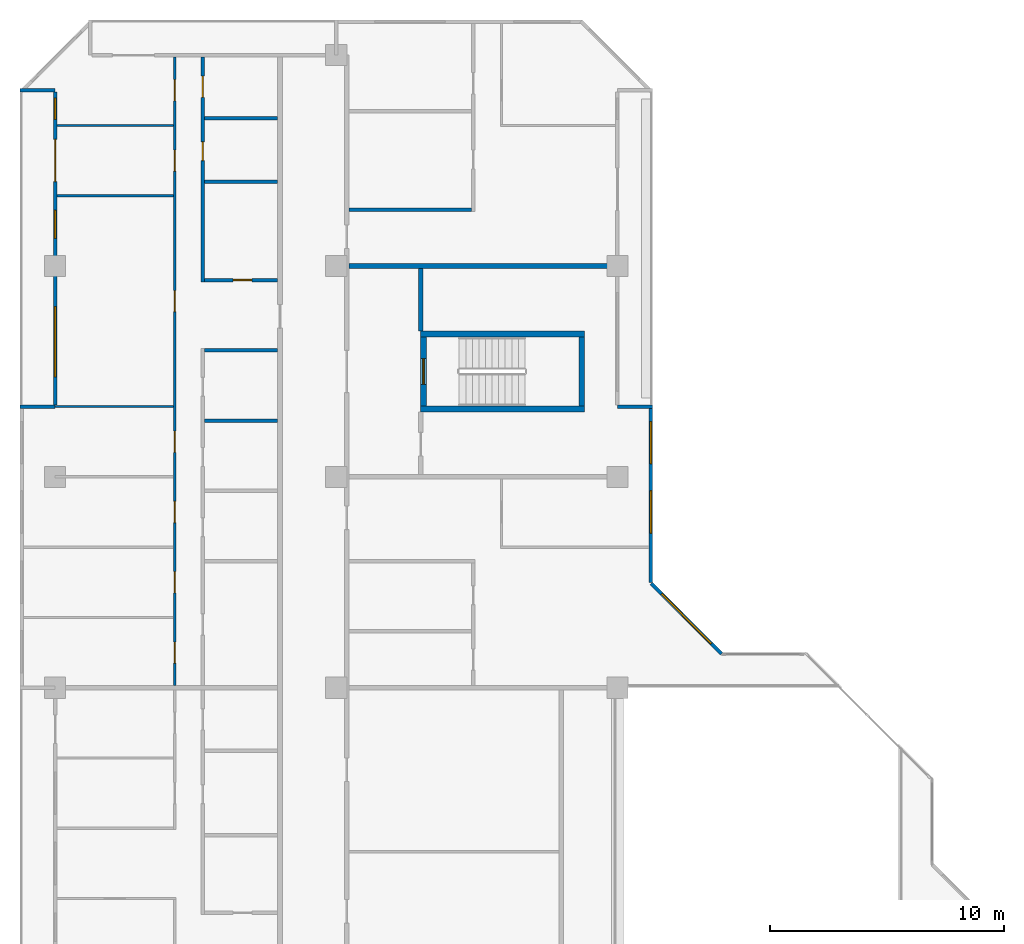
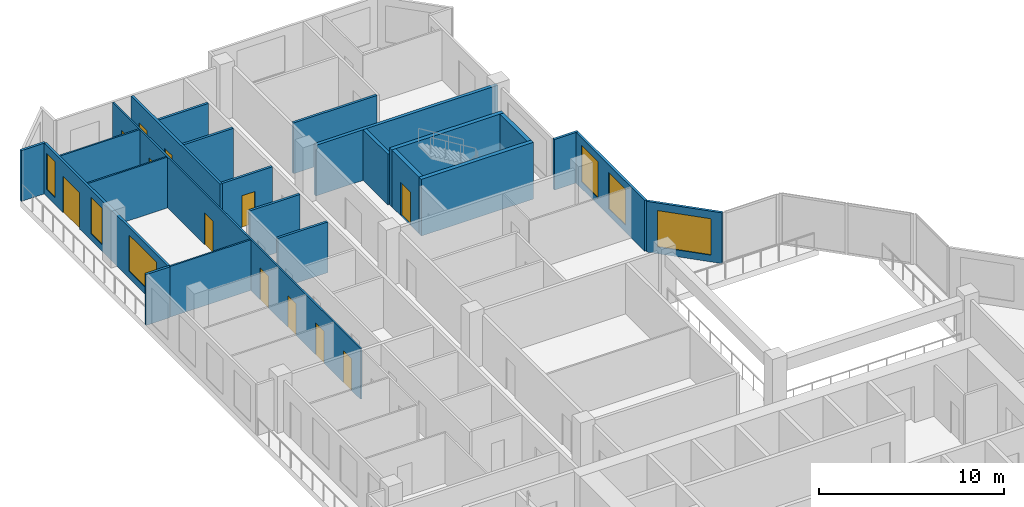
# One storey, part 10 of 15: 23 walls, 12 doors, 6 windows, 18 openings.
"""IFC4 building model written with IfcOpenShell, lengths in metres."""

from ifc_helpers import new_model, si_unit, direction, frame, frame_2d, origin, place, context, subcontext, project, spatial, rectangle, extrude, material, layer, layer_set, type_object, element, fill, save


model = new_model("IFC4")

# Units and contexts
model_context = context("Model", 3, precision=1e-05, world=origin(), true_north=direction((0.0, 1.0)))
body_context = subcontext(model_context, "Body", "Model", "MODEL_VIEW")
ifc_project = project(units=[si_unit("LENGTHUNIT", "METRE"), si_unit("AREAUNIT", "SQUARE_METRE"), si_unit("VOLUMEUNIT", "CUBIC_METRE"), si_unit("PLANEANGLEUNIT", "RADIAN"), si_unit("MASSUNIT", "GRAM", prefix="KILO")], contexts=[model_context])

# Site, building, storey
site_placement = place(None, origin())
site = spatial("IfcSite", under=ifc_project, at=site_placement, CompositionType="ELEMENT")
building_placement = place(site_placement, origin())
building = spatial("IfcBuilding", under=site, at=building_placement, Name="Chenar Terraces", CompositionType="ELEMENT")
storey_placement = place(building_placement, frame((0.0, 0.0, 176.14990234375)))
storey = spatial("IfcBuildingStorey", under=building, at=storey_placement, Name="L40", CompositionType="ELEMENT", Elevation=176.14990234375)

# Walls
ifc_material_1 = material(Name="Concrete C60/75", Category="concrete")
ifc_layer_1 = layer(ifc_material_1, 0.25)
ifc_layer_set_1 = layer_set([ifc_layer_1], Name="Concrete C60/75")
wall_type_1 = type_object("IfcWallType", Name="Core wall 250 Concrete C60/75", PredefinedType="SHEAR", material=ifc_layer_set_1)
for number, where, z_axis, x_axis, name in (
    (1, (15.60009765625, 47.89990234375, 0.0), (0.0, 0.0, 1.0), (1.0, 0.0, 0.0), "Core wall ST4_S L40"),
    (2, (15.60009765625, 51.10009765625, 0.0), (0.0, 0.0, 1.0), (1.0, 0.0, 0.0), "Core wall ST4_N L40"),
):
    element("IfcWall", number, at=place(storey_placement, frame(where, z_axis=z_axis, x_axis=x_axis)), inside=storey, type_object=wall_type_1, Name=name, PredefinedType="SHEAR", context=body_context, shape_type="SweptSolid", body=[
        extrude(rectangle(XDim=7.0, YDim=0.25, at=frame_2d((3.5, 0.0))), origin(), (0.0, 0.0, 1.0), 3.75),
    ])

# Wall, opening, door
wall_1_placement = place(storey_placement, frame((15.72509765625, 48.02490234375, 0.0), z_axis=(0.0, 0.0, 1.0), x_axis=(0.0, 1.0, 0.0)))
wall_1 = element("IfcWall", 3, at=wall_1_placement, inside=storey, type_object=wall_type_1, Name="Core wall ST4_W L40", PredefinedType="SHEAR", context=body_context, shape_type="SweptSolid", body=[
    extrude(rectangle(XDim=2.9501953125, YDim=0.25, at=frame_2d((1.47509765625, 0.0))), origin(), (0.0, 0.0, 1.0), 3.75),
])
opening_1_placement = place(wall_1_placement, frame((0.925048828125, 0.0, 0.0)))
opening_1 = element("IfcOpeningElement", 4, at=opening_1_placement, cuts=wall_1, Name="Opening DL40-C9", PredefinedType="OPENING", context=body_context, shape_type="SweptSolid", body=[
    extrude(rectangle(XDim=1.10009765625, YDim=2.199951171875, at=frame_2d((0.550048828125, 1.10009765625))), frame((0.0, 0.135009765625, 0.0), z_axis=(0.0, -1.0, 0.0), x_axis=(1.0, 0.0, 0.0)), (0.0, 0.0, 1.0), 0.27001953125),
])
ifc_material_2 = material(Name="Steel-framed fire-resisting door leaf", Category="steel")
door_type_1 = type_object("IfcDoorType", Name="Stair fire door FD60 1100 x 2200", OperationType="SINGLE_SWING_LEFT", PredefinedType="DOOR", material=ifc_material_2)
door_1_placement = place(opening_1_placement, frame((1.10009765625, 0.0, 0.0), z_axis=(0.0, 0.0, 1.0), x_axis=(-1.0, 0.0, 0.0)))
door_1 = element("IfcDoor", 5, at=door_1_placement, inside=storey, type_object=door_type_1, Name="Stair door DL40-C9", OperationType="SINGLE_SWING_RIGHT", OverallHeight=2.199951171875, OverallWidth=1.10009765625, PredefinedType="DOOR", context=body_context, shape_type="SweptSolid", body=[
    extrude(rectangle(XDim=1.10009765625, YDim=2.199951171875, at=frame_2d((0.550048828125, 1.10009765625))), frame((0.0, 0.02490234375, 0.0), z_axis=(0.0, -1.0, 0.0), x_axis=(1.0, 0.0, 0.0)), (0.0, 0.0, 1.0), 0.050048828125),
])
fill(opening_1, door_1)

# Walls
wall_2_placement = place(storey_placement, frame((22.47509765625, 48.02490234375, 0.0), z_axis=(0.0, 0.0, 1.0), x_axis=(0.0, 1.0, 0.0)))
element("IfcWall", 6, at=wall_2_placement, inside=storey, type_object=wall_type_1, Name="Core wall ST4_E L40", PredefinedType="SHEAR", context=body_context, shape_type="SweptSolid", body=[
    extrude(rectangle(XDim=2.9501953125, YDim=0.25, at=frame_2d((1.47509765625, 0.0))), origin(), (0.0, 0.0, 1.0), 3.75),
])
ifc_material_3 = material(Name="Gypsum board on steel studs with fire boards", Category="steel")
ifc_layer_2 = layer(ifc_material_3, 0.199951171875)
ifc_layer_set_2 = layer_set([ifc_layer_2], Name="Gypsum board on steel studs with fire boards")
wall_type_2 = type_object("IfcWallType", Name="Corridor wall 200", PredefinedType="PARTITIONING", material=ifc_layer_set_2)
wall_3_placement = place(storey_placement, frame((15.60009765625, 51.22509765625, 0.0), z_axis=(0.0, 0.0, 1.0), x_axis=(0.0, 1.0, 0.0)))
element("IfcWall", 7, at=wall_3_placement, inside=storey, type_object=wall_type_2, Name="Partition L40-047", PredefinedType="PARTITIONING", context=body_context, shape_type="SweptSolid", body=[
    extrude(rectangle(XDim=2.6748046875, YDim=0.199951171875, at=frame_2d((1.33740234375, 0.0))), origin(), (0.0, 0.0, 1.0), 3.35009765625),
])

# Wall, openings, windows
ifc_material_4 = material(Name="Aluminium framed glazing", Category="aluminium")
ifc_layer_3 = layer(ifc_material_4, 0.14990234375)
ifc_layer_set_3 = layer_set([ifc_layer_3], Name="Aluminium framed glazing")
wall_type_3 = type_object("IfcWallType", Name="Glazed flush facade wall 150", PredefinedType="SOLIDWALL", material=ifc_layer_set_3)
wall_4_placement = place(storey_placement, frame((25.425048828125, 40.5, 0.0), z_axis=(0.0, 0.0, 1.0), x_axis=(0.0, 1.0, 0.0)))
wall_4 = element("IfcWall", 8, at=wall_4_placement, inside=storey, type_object=wall_type_3, Name="Glazed flush facade wall", PredefinedType="SOLIDWALL", context=body_context, shape_type="SweptSolid", body=[
    extrude(rectangle(XDim=7.425048828125, YDim=0.14990234375, at=frame_2d((3.71240234375, 0.0))), origin(), (0.0, 0.0, 1.0), 3.35009765625),
])
opening_2_placement = place(wall_4_placement, frame((2.10009765625, 0.0, 0.449951171875)))
opening_2 = element("IfcOpeningElement", 9, at=opening_2_placement, cuts=wall_4, Name="Opening W180x240", PredefinedType="OPENING", context=body_context, shape_type="SweptSolid", body=[
    extrude(rectangle(XDim=1.800048828125, YDim=2.39990234375, at=frame_2d((0.89990234375, 1.199951171875))), frame((0.0, 0.0849609375, 0.0), z_axis=(0.0, -1.0, 0.0), x_axis=(1.0, 0.0, 0.0)), (0.0, 0.0, 1.0), 0.169921875),
])
opening_3_placement = place(wall_4_placement, frame((5.0625, 0.0, 0.449951171875)))
opening_3 = element("IfcOpeningElement", 10, at=opening_3_placement, cuts=wall_4, Name="Opening W180x240", PredefinedType="OPENING", context=body_context, shape_type="SweptSolid", body=[
    extrude(rectangle(XDim=1.800048828125, YDim=2.39990234375, at=frame_2d((0.89990234375, 1.199951171875))), frame((0.0, 0.0849609375, 0.0), z_axis=(0.0, -1.0, 0.0), x_axis=(1.0, 0.0, 0.0)), (0.0, 0.0, 1.0), 0.169921875),
])
ifc_material_5 = material(Name="Low emissivity double glazing, aluminium frame", Category="aluminium")
window_type_1 = type_object("IfcWindowType", Name="Fixed light 1800 x 2400", PartitioningType="SINGLE_PANEL", PredefinedType="WINDOW", material=ifc_material_5)
window_1_placement = place(opening_2_placement, origin())
window_1 = element("IfcWindow", 11, at=window_1_placement, inside=storey, type_object=window_type_1, Name="Window", OverallHeight=2.39990234375, OverallWidth=1.800048828125, PartitioningType="SINGLE_PANEL", PredefinedType="WINDOW", context=body_context, shape_type="SweptSolid", body=[
    extrude(rectangle(XDim=1.800048828125, YDim=2.39990234375, at=frame_2d((0.89990234375, 1.199951171875))), frame((0.0, 0.030029296875, 0.0), z_axis=(0.0, -1.0, 0.0), x_axis=(1.0, 0.0, 0.0)), (0.0, 0.0, 1.0), 0.06005859375),
])
fill(opening_2, window_1)
window_2_placement = place(opening_3_placement, origin())
window_2 = element("IfcWindow", 12, at=window_2_placement, inside=storey, type_object=window_type_1, Name="Window", OverallHeight=2.39990234375, OverallWidth=1.800048828125, PartitioningType="SINGLE_PANEL", PredefinedType="WINDOW", context=body_context, shape_type="SweptSolid", body=[
    extrude(rectangle(XDim=1.800048828125, YDim=2.39990234375, at=frame_2d((0.89990234375, 1.199951171875))), frame((0.0, 0.030029296875, 0.0), z_axis=(0.0, -1.0, 0.0), x_axis=(1.0, 0.0, 0.0)), (0.0, 0.0, 1.0), 0.06005859375),
])
fill(opening_3, window_2)

# Wall, openings, windows, door
ifc_material_6 = material(Name="Aluminium framed glazing", Category="aluminium")
ifc_layer_4 = layer(ifc_material_6, 0.14990234375)
ifc_layer_set_4 = layer_set([ifc_layer_4], Name="Aluminium framed glazing")
wall_type_4 = type_object("IfcWallType", Name="Glazed loggia back wall 150", PredefinedType="SOLIDWALL", material=ifc_layer_set_4)
wall_5_placement = place(storey_placement, frame((0.0, 61.425048828125, 0.0), z_axis=(0.0, 0.0, 1.0), x_axis=(0.0, -1.0, 0.0)))
wall_5 = element("IfcWall", 13, at=wall_5_placement, inside=storey, type_object=wall_type_4, Name="Glazed loggia back wall", PredefinedType="SOLIDWALL", context=body_context, shape_type="SweptSolid", body=[
    extrude(rectangle(XDim=13.35009765625, YDim=0.14990234375, at=frame_2d((6.675048828125, 0.0))), origin(), (0.0, 0.0, 1.0), 3.35009765625),
])
opening_4_placement = place(wall_5_placement, frame((0.262451171875, 0.0, 0.449951171875)))
opening_4 = element("IfcOpeningElement", 14, at=opening_4_placement, cuts=wall_5, Name="Opening W90x240", PredefinedType="OPENING", context=body_context, shape_type="SweptSolid", body=[
    extrude(rectangle(XDim=0.89990234375, YDim=2.39990234375, at=frame_2d((0.449951171875, 1.199951171875))), frame((0.0, 0.0849609375, 0.0), z_axis=(0.0, -1.0, 0.0), x_axis=(1.0, 0.0, 0.0)), (0.0, 0.0, 1.0), 0.169921875),
])
opening_5_placement = place(wall_5_placement, frame((2.02490234375, 0.0, 0.0)))
opening_5 = element("IfcOpeningElement", 15, at=opening_5_placement, cuts=wall_5, Name="Opening DL40-G4", PredefinedType="OPENING", context=body_context, shape_type="SweptSolid", body=[
    extrude(rectangle(XDim=1.800048828125, YDim=2.39990234375, at=frame_2d((0.89990234375, 1.199951171875))), frame((0.0, 0.0849609375, 0.0), z_axis=(0.0, -1.0, 0.0), x_axis=(1.0, 0.0, 0.0)), (0.0, 0.0, 1.0), 0.169921875),
])
opening_6_placement = place(wall_5_placement, frame((5.050048828125, 0.0, 0.449951171875)))
opening_6 = element("IfcOpeningElement", 16, at=opening_6_placement, cuts=wall_5, Name="Opening W120x240", PredefinedType="OPENING", context=body_context, shape_type="SweptSolid", body=[
    extrude(rectangle(XDim=1.199951171875, YDim=2.39990234375, at=frame_2d((0.60009765625, 1.199951171875))), frame((0.0, 0.0849609375, 0.0), z_axis=(0.0, -1.0, 0.0), x_axis=(1.0, 0.0, 0.0)), (0.0, 0.0, 1.0), 0.169921875),
])
opening_7_placement = place(wall_5_placement, frame((9.16259765625, 0.0, 0.449951171875)))
opening_7 = element("IfcOpeningElement", 17, at=opening_7_placement, cuts=wall_5, Name="Opening W300x240", PredefinedType="OPENING", context=body_context, shape_type="SweptSolid", body=[
    extrude(rectangle(XDim=3.0, YDim=2.39990234375, at=frame_2d((1.5, 1.199951171875))), frame((0.0, 0.0849609375, 0.0), z_axis=(0.0, -1.0, 0.0), x_axis=(1.0, 0.0, 0.0)), (0.0, 0.0, 1.0), 0.169921875),
])
ifc_material_7 = material(Name="Low emissivity double glazing, aluminium frame", Category="aluminium")
window_type_2 = type_object("IfcWindowType", Name="Fixed light 1200 x 2400", PartitioningType="SINGLE_PANEL", PredefinedType="WINDOW", material=ifc_material_7)
window_3_placement = place(opening_6_placement, origin())
window_3 = element("IfcWindow", 18, at=window_3_placement, inside=storey, type_object=window_type_2, Name="Window", OverallHeight=2.39990234375, OverallWidth=1.199951171875, PartitioningType="SINGLE_PANEL", PredefinedType="WINDOW", context=body_context, shape_type="SweptSolid", body=[
    extrude(rectangle(XDim=1.199951171875, YDim=2.39990234375, at=frame_2d((0.60009765625, 1.199951171875))), frame((0.0, 0.030029296875, 0.0), z_axis=(0.0, -1.0, 0.0), x_axis=(1.0, 0.0, 0.0)), (0.0, 0.0, 1.0), 0.06005859375),
])
fill(opening_6, window_3)
ifc_material_8 = material(Name="Low emissivity double glazing, aluminium frame", Category="aluminium")
window_type_3 = type_object("IfcWindowType", Name="Fixed light 3000 x 2400", PartitioningType="SINGLE_PANEL", PredefinedType="WINDOW", material=ifc_material_8)
window_4_placement = place(opening_7_placement, origin())
window_4 = element("IfcWindow", 19, at=window_4_placement, inside=storey, type_object=window_type_3, Name="Window", OverallHeight=2.39990234375, OverallWidth=3.0, PartitioningType="SINGLE_PANEL", PredefinedType="WINDOW", context=body_context, shape_type="SweptSolid", body=[
    extrude(rectangle(XDim=3.0, YDim=2.39990234375, at=frame_2d((1.5, 1.199951171875))), frame((0.0, 0.030029296875, 0.0), z_axis=(0.0, -1.0, 0.0), x_axis=(1.0, 0.0, 0.0)), (0.0, 0.0, 1.0), 0.06005859375),
])
fill(opening_7, window_4)
ifc_material_9 = material(Name="Low emissivity double glazing, aluminium frame", Category="aluminium")
window_type_4 = type_object("IfcWindowType", Name="Fixed light 900 x 2400", PartitioningType="SINGLE_PANEL", PredefinedType="WINDOW", material=ifc_material_9)
window_5_placement = place(opening_4_placement, origin())
window_5 = element("IfcWindow", 20, at=window_5_placement, inside=storey, type_object=window_type_4, Name="Window", OverallHeight=2.39990234375, OverallWidth=0.89990234375, PartitioningType="SINGLE_PANEL", PredefinedType="WINDOW", context=body_context, shape_type="SweptSolid", body=[
    extrude(rectangle(XDim=0.89990234375, YDim=2.39990234375, at=frame_2d((0.449951171875, 1.199951171875))), frame((0.0, 0.030029296875, 0.0), z_axis=(0.0, -1.0, 0.0), x_axis=(1.0, 0.0, 0.0)), (0.0, 0.0, 1.0), 0.06005859375),
])
fill(opening_4, window_5)
ifc_material_10 = material(Name="Low emissivity double glazing, aluminium frame", Category="aluminium")
door_type_2 = type_object("IfcDoorType", Name="Loggia glazed double door 1800 x 2400", OperationType="DOUBLE_DOOR_SINGLE_SWING", PredefinedType="DOOR", material=ifc_material_10)
door_2_placement = place(opening_5_placement, frame((1.800048828125, 0.0, 0.0), z_axis=(0.0, 0.0, 1.0), x_axis=(-1.0, 0.0, 0.0)))
door_2 = element("IfcDoor", 21, at=door_2_placement, inside=storey, type_object=door_type_2, Name="Loggia glazed door", OperationType="DOUBLE_DOOR_SINGLE_SWING", OverallHeight=2.39990234375, OverallWidth=1.800048828125, PredefinedType="DOOR", context=body_context, shape_type="SweptSolid", body=[
    extrude(rectangle(XDim=1.800048828125, YDim=2.39990234375, at=frame_2d((0.89990234375, 1.199951171875))), frame((0.0, 0.02490234375, 0.0), z_axis=(0.0, -1.0, 0.0), x_axis=(1.0, 0.0, 0.0)), (0.0, 0.0, 1.0), 0.050048828125),
])
fill(opening_5, door_2)

# Walls
ifc_material_11 = material(Name="Gypsum board on steel studs", Category="steel")
ifc_layer_5 = layer(ifc_material_11, 0.10009765625)
ifc_layer_set_5 = layer_set([ifc_layer_5], Name="Gypsum board on steel studs")
wall_type_5 = type_object("IfcWallType", Name="Gypsum partition 100", PredefinedType="PARTITIONING", material=ifc_layer_set_5)
wall_6_placement = place(storey_placement, frame((0.0, 48.0, 0.0), z_axis=(0.0, 0.0, 1.0), x_axis=(1.0, 0.0, 0.0)))
element("IfcWall", 22, at=wall_6_placement, inside=storey, type_object=wall_type_5, Name="Partition L40-007", PredefinedType="PARTITIONING", context=body_context, shape_type="SweptSolid", body=[
    extrude(rectangle(XDim=5.050048828125, YDim=0.10009765625, at=frame_2d((2.52490234375, 0.0))), origin(), (0.0, 0.0, 1.0), 3.35009765625),
])
for number, where, z_axis, x_axis, name in (
    (23, (0.073974609375, 57.0, 0.0), (0.0, 0.0, 1.0), (1.0, 0.0, 0.0), "Partition L40-011"),
    (24, (0.073974609375, 60.0, 0.0), (0.0, 0.0, 1.0), (1.0, 0.0, 0.0), "Partition L40-012"),
):
    element("IfcWall", number, at=place(storey_placement, frame(where, z_axis=z_axis, x_axis=x_axis)), inside=storey, type_object=wall_type_5, Name=name, PredefinedType="PARTITIONING", context=body_context, shape_type="SweptSolid", body=[
        extrude(rectangle(XDim=4.97607421875, YDim=0.10009765625, at=frame_2d((2.488037109375, 0.0))), origin(), (0.0, 0.0, 1.0), 3.35009765625),
    ])

# Wall, openings, doors
wall_7_placement = place(storey_placement, frame((5.10009765625, 36.10009765625, 0.0), z_axis=(0.0, 0.0, 1.0), x_axis=(0.0, 1.0, 0.0)))
wall_7 = element("IfcWall", 25, at=wall_7_placement, inside=storey, type_object=wall_type_5, Name="Partition L40-016", PredefinedType="PARTITIONING", context=body_context, shape_type="SweptSolid", body=[
    extrude(rectangle(XDim=26.825927734375, YDim=0.10009765625, at=frame_2d((13.4130859375, 0.0))), origin(), (0.0, 0.0, 1.0), 3.35009765625),
])
opening_8_placement = place(wall_7_placement, frame((0.949951171875, 0.0, 0.0)))
opening_8 = element("IfcOpeningElement", 26, at=opening_8_placement, cuts=wall_7, Name="Opening DL40-24", PredefinedType="OPENING", context=body_context, shape_type="SweptSolid", body=[
    extrude(rectangle(XDim=0.89990234375, YDim=2.10009765625, at=frame_2d((0.449951171875, 1.050048828125))), frame((0.0, 0.06005859375, 0.0), z_axis=(0.0, -1.0, 0.0), x_axis=(1.0, 0.0, 0.0)), (0.0, 0.0, 1.0), 0.1201171875),
])
opening_9_placement = place(wall_7_placement, frame((3.949951171875, 0.0, 0.0)))
opening_9 = element("IfcOpeningElement", 27, at=opening_9_placement, cuts=wall_7, Name="Opening DL40-25", PredefinedType="OPENING", context=body_context, shape_type="SweptSolid", body=[
    extrude(rectangle(XDim=0.89990234375, YDim=2.10009765625, at=frame_2d((0.449951171875, 1.050048828125))), frame((0.0, 0.06005859375, 0.0), z_axis=(0.0, -1.0, 0.0), x_axis=(1.0, 0.0, 0.0)), (0.0, 0.0, 1.0), 0.1201171875),
])
opening_10_placement = place(wall_7_placement, frame((9.949951171875, 0.0, 0.0)))
opening_10 = element("IfcOpeningElement", 28, at=opening_10_placement, cuts=wall_7, Name="Opening DL40-26", PredefinedType="OPENING", context=body_context, shape_type="SweptSolid", body=[
    extrude(rectangle(XDim=0.89990234375, YDim=2.10009765625, at=frame_2d((0.449951171875, 1.050048828125))), frame((0.0, 0.06005859375, 0.0), z_axis=(0.0, -1.0, 0.0), x_axis=(1.0, 0.0, 0.0)), (0.0, 0.0, 1.0), 0.1201171875),
])
opening_11_placement = place(wall_7_placement, frame((21.949951171875, 0.0, 0.0)))
opening_11 = element("IfcOpeningElement", 29, at=opening_11_placement, cuts=wall_7, Name="Opening DL40-27", PredefinedType="OPENING", context=body_context, shape_type="SweptSolid", body=[
    extrude(rectangle(XDim=0.89990234375, YDim=2.10009765625, at=frame_2d((0.449951171875, 1.050048828125))), frame((0.0, 0.06005859375, 0.0), z_axis=(0.0, -1.0, 0.0), x_axis=(1.0, 0.0, 0.0)), (0.0, 0.0, 1.0), 0.1201171875),
])
opening_12_placement = place(wall_7_placement, frame((24.949951171875, 0.0, 0.0)))
opening_12 = element("IfcOpeningElement", 30, at=opening_12_placement, cuts=wall_7, Name="Opening DL40-28", PredefinedType="OPENING", context=body_context, shape_type="SweptSolid", body=[
    extrude(rectangle(XDim=0.89990234375, YDim=2.10009765625, at=frame_2d((0.449951171875, 1.050048828125))), frame((0.0, 0.06005859375, 0.0), z_axis=(0.0, -1.0, 0.0), x_axis=(1.0, 0.0, 0.0)), (0.0, 0.0, 1.0), 0.1201171875),
])
opening_13_placement = place(wall_7_placement, frame((15.949951171875, 0.0, 0.0)))
opening_13 = element("IfcOpeningElement", 31, at=opening_13_placement, cuts=wall_7, Name="Opening DL40-32", PredefinedType="OPENING", context=body_context, shape_type="SweptSolid", body=[
    extrude(rectangle(XDim=0.89990234375, YDim=2.10009765625, at=frame_2d((0.449951171875, 1.050048828125))), frame((0.0, 0.06005859375, 0.0), z_axis=(0.0, -1.0, 0.0), x_axis=(1.0, 0.0, 0.0)), (0.0, 0.0, 1.0), 0.1201171875),
])
opening_14_placement = place(wall_7_placement, frame((6.949951171875, 0.0, 0.0)))
opening_14 = element("IfcOpeningElement", 32, at=opening_14_placement, cuts=wall_7, Name="Opening DL40-34", PredefinedType="OPENING", context=body_context, shape_type="SweptSolid", body=[
    extrude(rectangle(XDim=0.89990234375, YDim=2.10009765625, at=frame_2d((0.449951171875, 1.050048828125))), frame((0.0, 0.06005859375, 0.0), z_axis=(0.0, -1.0, 0.0), x_axis=(1.0, 0.0, 0.0)), (0.0, 0.0, 1.0), 0.1201171875),
])
ifc_material_12 = material(Name="Veneered timber door leaf", Category="wood")
door_type_3 = type_object("IfcDoorType", Name="Door 900 x 2100", OperationType="SINGLE_SWING_LEFT", PredefinedType="DOOR", material=ifc_material_12)
door_3_placement = place(opening_8_placement, origin())
door_3 = element("IfcDoor", 33, at=door_3_placement, inside=storey, type_object=door_type_3, Name="Door DL40-24", OperationType="SINGLE_SWING_RIGHT", OverallHeight=2.10009765625, OverallWidth=0.89990234375, PredefinedType="DOOR", context=body_context, shape_type="SweptSolid", body=[
    extrude(rectangle(XDim=0.89990234375, YDim=2.10009765625, at=frame_2d((0.449951171875, 1.050048828125))), frame((0.0, 0.02490234375, 0.0), z_axis=(0.0, -1.0, 0.0), x_axis=(1.0, 0.0, 0.0)), (0.0, 0.0, 1.0), 0.050048828125),
])
fill(opening_8, door_3)
door_4_placement = place(opening_9_placement, origin())
door_4 = element("IfcDoor", 34, at=door_4_placement, inside=storey, type_object=door_type_3, Name="Door DL40-25", OperationType="SINGLE_SWING_RIGHT", OverallHeight=2.10009765625, OverallWidth=0.89990234375, PredefinedType="DOOR", context=body_context, shape_type="SweptSolid", body=[
    extrude(rectangle(XDim=0.89990234375, YDim=2.10009765625, at=frame_2d((0.449951171875, 1.050048828125))), frame((0.0, 0.02490234375, 0.0), z_axis=(0.0, -1.0, 0.0), x_axis=(1.0, 0.0, 0.0)), (0.0, 0.0, 1.0), 0.050048828125),
])
fill(opening_9, door_4)
door_5_placement = place(opening_10_placement, origin())
door_5 = element("IfcDoor", 35, at=door_5_placement, inside=storey, type_object=door_type_3, Name="Door DL40-26", OperationType="SINGLE_SWING_RIGHT", OverallHeight=2.10009765625, OverallWidth=0.89990234375, PredefinedType="DOOR", context=body_context, shape_type="SweptSolid", body=[
    extrude(rectangle(XDim=0.89990234375, YDim=2.10009765625, at=frame_2d((0.449951171875, 1.050048828125))), frame((0.0, 0.02490234375, 0.0), z_axis=(0.0, -1.0, 0.0), x_axis=(1.0, 0.0, 0.0)), (0.0, 0.0, 1.0), 0.050048828125),
])
fill(opening_10, door_5)
door_6_placement = place(opening_11_placement, origin())
door_6 = element("IfcDoor", 36, at=door_6_placement, inside=storey, type_object=door_type_3, Name="Door DL40-27", OperationType="SINGLE_SWING_RIGHT", OverallHeight=2.10009765625, OverallWidth=0.89990234375, PredefinedType="DOOR", context=body_context, shape_type="SweptSolid", body=[
    extrude(rectangle(XDim=0.89990234375, YDim=2.10009765625, at=frame_2d((0.449951171875, 1.050048828125))), frame((0.0, 0.02490234375, 0.0), z_axis=(0.0, -1.0, 0.0), x_axis=(1.0, 0.0, 0.0)), (0.0, 0.0, 1.0), 0.050048828125),
])
fill(opening_11, door_6)
door_7_placement = place(opening_12_placement, origin())
door_7 = element("IfcDoor", 37, at=door_7_placement, inside=storey, type_object=door_type_3, Name="Door DL40-28", OperationType="SINGLE_SWING_RIGHT", OverallHeight=2.10009765625, OverallWidth=0.89990234375, PredefinedType="DOOR", context=body_context, shape_type="SweptSolid", body=[
    extrude(rectangle(XDim=0.89990234375, YDim=2.10009765625, at=frame_2d((0.449951171875, 1.050048828125))), frame((0.0, 0.02490234375, 0.0), z_axis=(0.0, -1.0, 0.0), x_axis=(1.0, 0.0, 0.0)), (0.0, 0.0, 1.0), 0.050048828125),
])
fill(opening_12, door_7)
door_8_placement = place(opening_13_placement, frame((0.89990234375, 0.0, 0.0), z_axis=(0.0, 0.0, 1.0), x_axis=(-1.0, 0.0, 0.0)))
door_8 = element("IfcDoor", 38, at=door_8_placement, inside=storey, type_object=door_type_3, Name="Door DL40-32", OperationType="SINGLE_SWING_LEFT", OverallHeight=2.10009765625, OverallWidth=0.89990234375, PredefinedType="DOOR", context=body_context, shape_type="SweptSolid", body=[
    extrude(rectangle(XDim=0.89990234375, YDim=2.10009765625, at=frame_2d((0.449951171875, 1.050048828125))), frame((0.0, 0.02490234375, 0.0), z_axis=(0.0, -1.0, 0.0), x_axis=(1.0, 0.0, 0.0)), (0.0, 0.0, 1.0), 0.050048828125),
])
fill(opening_13, door_8)
door_9_placement = place(opening_14_placement, origin())
door_9 = element("IfcDoor", 39, at=door_9_placement, inside=storey, type_object=door_type_3, Name="Door DL40-34", OperationType="SINGLE_SWING_RIGHT", OverallHeight=2.10009765625, OverallWidth=0.89990234375, PredefinedType="DOOR", context=body_context, shape_type="SweptSolid", body=[
    extrude(rectangle(XDim=0.89990234375, YDim=2.10009765625, at=frame_2d((0.449951171875, 1.050048828125))), frame((0.0, 0.02490234375, 0.0), z_axis=(0.0, -1.0, 0.0), x_axis=(1.0, 0.0, 0.0)), (0.0, 0.0, 1.0), 0.050048828125),
])
fill(opening_14, door_9)

# Walls
ifc_material_13 = material(Name="Terracotta cladding on insulated backing", Category="masonry")
ifc_layer_6 = layer(ifc_material_13, 0.14990234375)
ifc_layer_set_6 = layer_set([ifc_layer_6], Name="Terracotta cladding on insulated backing")
wall_type_6 = type_object("IfcWallType", Name="Loggia return wall 150", PredefinedType="SOLIDWALL", material=ifc_layer_set_6)
for number, where, z_axis, x_axis, name in (
    (40, (25.5, 48.0, 0.0), (0.0, 0.0, 1.0), (-1.0, 0.0, 0.0), "Loggia return wall"),
    (41, (-1.5, 61.5, 0.0), (0.0, 0.0, 1.0), (1.0, 0.0, 0.0), "Loggia return wall"),
    (42, (-1.5, 48.0, 0.0), (0.0, 0.0, 1.0), (1.0, 0.0, 0.0), "Loggia return wall"),
):
    element("IfcWall", number, at=place(storey_placement, frame(where, z_axis=z_axis, x_axis=x_axis)), inside=storey, type_object=wall_type_6, Name=name, PredefinedType="SOLIDWALL", context=body_context, shape_type="SweptSolid", body=[
        extrude(rectangle(XDim=1.5, YDim=0.14990234375, at=frame_2d((0.75, 0.0))), origin(), (0.0, 0.0, 1.0), 3.35009765625),
    ])

# Wall, opening, window
ifc_material_14 = material(Name="Terracotta cladding on insulated backing", Category="masonry")
ifc_layer_7 = layer(ifc_material_14, 0.14990234375)
ifc_layer_set_7 = layer_set([ifc_layer_7], Name="Terracotta cladding on insulated backing")
wall_type_7 = type_object("IfcWallType", Name="Terracotta rainscreen wall 150", PredefinedType="SOLIDWALL", material=ifc_layer_set_7)
wall_8_placement = place(storey_placement, frame((28.447021484375, 37.447021484375, 0.0), z_axis=(0.0, 0.0, 1.0), x_axis=(-0.707106781187, 0.707106781187, 0.0)))
wall_8 = element("IfcWall", 43, at=wall_8_placement, inside=storey, type_object=wall_type_7, Name="Terracotta rainscreen wall", PredefinedType="SOLIDWALL", context=body_context, shape_type="SweptSolid", body=[
    extrude(rectangle(XDim=4.24267578125, YDim=0.14990234375, at=frame_2d((2.121337890625, 0.0))), origin(), (0.0, 0.0, 1.0), 3.35009765625),
])
opening_15_placement = place(wall_8_placement, frame((0.621337890625, 0.0, 0.449951171875)))
opening_15 = element("IfcOpeningElement", 44, at=opening_15_placement, cuts=wall_8, Name="Opening W300x240", PredefinedType="OPENING", context=body_context, shape_type="SweptSolid", body=[
    extrude(rectangle(XDim=3.0, YDim=2.39990234375, at=frame_2d((1.5, 1.199951171875))), frame((0.0, 0.0849609375, 0.0), z_axis=(0.0, -1.0, 0.0), x_axis=(1.0, 0.0, 0.0)), (0.0, 0.0, 1.0), 0.169921875),
])
window_6_placement = place(opening_15_placement, origin())
window_6 = element("IfcWindow", 45, at=window_6_placement, inside=storey, type_object=window_type_3, Name="Window", OverallHeight=2.39990234375, OverallWidth=3.0, PartitioningType="SINGLE_PANEL", PredefinedType="WINDOW", context=body_context, shape_type="SweptSolid", body=[
    extrude(rectangle(XDim=3.0, YDim=2.39990234375, at=frame_2d((1.5, 1.199951171875))), frame((0.0, 0.030029296875, 0.0), z_axis=(0.0, -1.0, 0.0), x_axis=(1.0, 0.0, 0.0)), (0.0, 0.0, 1.0), 0.06005859375),
])
fill(opening_15, window_6)

# Wall
ifc_material_15 = material(Name="Twin gypsum board on steel studs with mineral wool", Category="steel")
ifc_layer_8 = layer(ifc_material_15, 0.199951171875)
ifc_layer_set_8 = layer_set([ifc_layer_8], Name="Twin gypsum board on steel studs with mineral wool")
wall_type_8 = type_object("IfcWallType", Name="Unit demising wall 200", PredefinedType="PARTITIONING", material=ifc_layer_set_8)
wall_9_placement = place(storey_placement, frame((12.550048828125, 54.0, 0.0), z_axis=(0.0, 0.0, 1.0), x_axis=(1.0, 0.0, 0.0)))
element("IfcWall", 46, at=wall_9_placement, inside=storey, type_object=wall_type_8, Name="Partition L40-042", PredefinedType="PARTITIONING", context=body_context, shape_type="SweptSolid", body=[
    extrude(rectangle(XDim=11.3759765625, YDim=0.199951171875, at=frame_2d((5.68798828125, 0.0))), origin(), (0.0, 0.0, 1.0), 3.35009765625),
])

# Wall, openings, doors
ifc_material_16 = material(Name="Moisture-resistant gypsum board on steel studs", Category="steel")
ifc_layer_9 = layer(ifc_material_16, 0.14990234375)
ifc_layer_set_9 = layer_set([ifc_layer_9], Name="Moisture-resistant gypsum board on steel studs")
wall_type_9 = type_object("IfcWallType", Name="Wet-room partition 150", PredefinedType="PARTITIONING", material=ifc_layer_set_9)
wall_10_placement = place(storey_placement, frame((6.300048828125, 53.324951171875, 0.0), z_axis=(0.0, 0.0, 1.0), x_axis=(0.0, 1.0, 0.0)))
wall_10 = element("IfcWall", 47, at=wall_10_placement, inside=storey, type_object=wall_type_9, Name="Partition L40-019", PredefinedType="PARTITIONING", context=body_context, shape_type="SweptSolid", body=[
    extrude(rectangle(XDim=9.60107421875, YDim=0.14990234375, at=frame_2d((4.800537109375, 0.0))), origin(), (0.0, 0.0, 1.0), 3.35009765625),
])
opening_16_placement = place(wall_10_placement, frame((7.875, 0.0, 0.0)))
opening_16 = element("IfcOpeningElement", 48, at=opening_16_placement, cuts=wall_10, Name="Opening DL40-33", PredefinedType="OPENING", context=body_context, shape_type="SweptSolid", body=[
    extrude(rectangle(XDim=0.89990234375, YDim=2.10009765625, at=frame_2d((0.449951171875, 1.050048828125))), frame((0.0, 0.0849609375, 0.0), z_axis=(0.0, -1.0, 0.0), x_axis=(1.0, 0.0, 0.0)), (0.0, 0.0, 1.0), 0.169921875),
])
opening_17_placement = place(wall_10_placement, frame((5.175048828125, 0.0, 0.0)))
opening_17 = element("IfcOpeningElement", 49, at=opening_17_placement, cuts=wall_10, Name="Opening DL40-37", PredefinedType="OPENING", context=body_context, shape_type="SweptSolid", body=[
    extrude(rectangle(XDim=0.800048828125, YDim=2.10009765625, at=frame_2d((0.39990234375, 1.050048828125))), frame((0.0, 0.0849609375, 0.0), z_axis=(0.0, -1.0, 0.0), x_axis=(1.0, 0.0, 0.0)), (0.0, 0.0, 1.0), 0.169921875),
])
ifc_material_17 = material(Name="Veneered timber door leaf", Category="wood")
door_type_4 = type_object("IfcDoorType", Name="Door 800 x 2100", OperationType="SINGLE_SWING_LEFT", PredefinedType="DOOR", material=ifc_material_17)
door_10_placement = place(opening_17_placement, frame((0.800048828125, 0.0, 0.0), z_axis=(0.0, 0.0, 1.0), x_axis=(-1.0, 0.0, 0.0)))
door_10 = element("IfcDoor", 50, at=door_10_placement, inside=storey, type_object=door_type_4, Name="Door DL40-37", OperationType="SINGLE_SWING_RIGHT", OverallHeight=2.10009765625, OverallWidth=0.800048828125, PredefinedType="DOOR", context=body_context, shape_type="SweptSolid", body=[
    extrude(rectangle(XDim=0.800048828125, YDim=2.10009765625, at=frame_2d((0.39990234375, 1.050048828125))), frame((0.0, 0.02490234375, 0.0), z_axis=(0.0, -1.0, 0.0), x_axis=(1.0, 0.0, 0.0)), (0.0, 0.0, 1.0), 0.050048828125),
])
fill(opening_17, door_10)
door_11_placement = place(opening_16_placement, frame((0.89990234375, 0.0, 0.0), z_axis=(0.0, 0.0, 1.0), x_axis=(-1.0, 0.0, 0.0)))
door_11 = element("IfcDoor", 51, at=door_11_placement, inside=storey, type_object=door_type_3, Name="Door DL40-33", OperationType="SINGLE_SWING_RIGHT", OverallHeight=2.10009765625, OverallWidth=0.89990234375, PredefinedType="DOOR", context=body_context, shape_type="SweptSolid", body=[
    extrude(rectangle(XDim=0.89990234375, YDim=2.10009765625, at=frame_2d((0.449951171875, 1.050048828125))), frame((0.0, 0.02490234375, 0.0), z_axis=(0.0, -1.0, 0.0), x_axis=(1.0, 0.0, 0.0)), (0.0, 0.0, 1.0), 0.050048828125),
])
fill(opening_16, door_11)

# Walls
for number, where, z_axis, x_axis, name in (
    (52, (6.375, 47.39990234375, 0.0), (0.0, 0.0, 1.0), (1.0, 0.0, 0.0), "Partition L40-025"),
    (53, (6.375, 50.39990234375, 0.0), (0.0, 0.0, 1.0), (1.0, 0.0, 0.0), "Partition L40-026"),
):
    element("IfcWall", number, at=place(storey_placement, frame(where, z_axis=z_axis, x_axis=x_axis)), inside=storey, type_object=wall_type_9, Name=name, PredefinedType="PARTITIONING", context=body_context, shape_type="SweptSolid", body=[
        extrude(rectangle(XDim=3.125, YDim=0.14990234375, at=frame_2d((1.5625, 0.0))), origin(), (0.0, 0.0, 1.0), 3.35009765625),
    ])

# Wall, opening, door
wall_11_placement = place(storey_placement, frame((6.375, 53.39990234375, 0.0), z_axis=(0.0, 0.0, 1.0), x_axis=(1.0, 0.0, 0.0)))
wall_11 = element("IfcWall", 54, at=wall_11_placement, inside=storey, type_object=wall_type_9, Name="Partition L40-027", PredefinedType="PARTITIONING", context=body_context, shape_type="SweptSolid", body=[
    extrude(rectangle(XDim=3.125, YDim=0.14990234375, at=frame_2d((1.5625, 0.0))), origin(), (0.0, 0.0, 1.0), 3.35009765625),
])
opening_18_placement = place(wall_11_placement, frame((1.22509765625, 0.0, 0.0)))
opening_18 = element("IfcOpeningElement", 55, at=opening_18_placement, cuts=wall_11, Name="Opening DL40-23", PredefinedType="OPENING", context=body_context, shape_type="SweptSolid", body=[
    extrude(rectangle(XDim=0.800048828125, YDim=2.10009765625, at=frame_2d((0.39990234375, 1.050048828125))), frame((0.0, 0.0849609375, 0.0), z_axis=(0.0, -1.0, 0.0), x_axis=(1.0, 0.0, 0.0)), (0.0, 0.0, 1.0), 0.169921875),
])
door_12_placement = place(opening_18_placement, origin())
door_12 = element("IfcDoor", 56, at=door_12_placement, inside=storey, type_object=door_type_4, Name="Door DL40-23", OperationType="SINGLE_SWING_RIGHT", OverallHeight=2.10009765625, OverallWidth=0.800048828125, PredefinedType="DOOR", context=body_context, shape_type="SweptSolid", body=[
    extrude(rectangle(XDim=0.800048828125, YDim=2.10009765625, at=frame_2d((0.39990234375, 1.050048828125))), frame((0.0, 0.02490234375, 0.0), z_axis=(0.0, -1.0, 0.0), x_axis=(1.0, 0.0, 0.0)), (0.0, 0.0, 1.0), 0.050048828125),
])
fill(opening_18, door_12)

# Walls
for number, where, z_axis, x_axis, name in (
    (57, (6.375, 57.60009765625, 0.0), (0.0, 0.0, 1.0), (1.0, 0.0, 0.0), "Partition L40-028"),
    (58, (6.375, 60.300048828125, 0.0), (0.0, 0.0, 1.0), (1.0, 0.0, 0.0), "Partition L40-029"),
):
    element("IfcWall", number, at=place(storey_placement, frame(where, z_axis=z_axis, x_axis=x_axis)), inside=storey, type_object=wall_type_9, Name=name, PredefinedType="PARTITIONING", context=body_context, shape_type="SweptSolid", body=[
        extrude(rectangle(XDim=3.125, YDim=0.14990234375, at=frame_2d((1.5625, 0.0))), origin(), (0.0, 0.0, 1.0), 3.35009765625),
    ])
wall_12_placement = place(storey_placement, frame((12.550048828125, 56.39990234375, 0.0), z_axis=(0.0, 0.0, 1.0), x_axis=(1.0, 0.0, 0.0)))
element("IfcWall", 59, at=wall_12_placement, inside=storey, type_object=wall_type_9, Name="Partition L40-043", PredefinedType="PARTITIONING", context=body_context, shape_type="SweptSolid", body=[
    extrude(rectangle(XDim=5.224853515625, YDim=0.14990234375, at=frame_2d((2.6123046875, 0.0))), origin(), (0.0, 0.0, 1.0), 3.35009765625),
])

save(model, "model.ifc")
